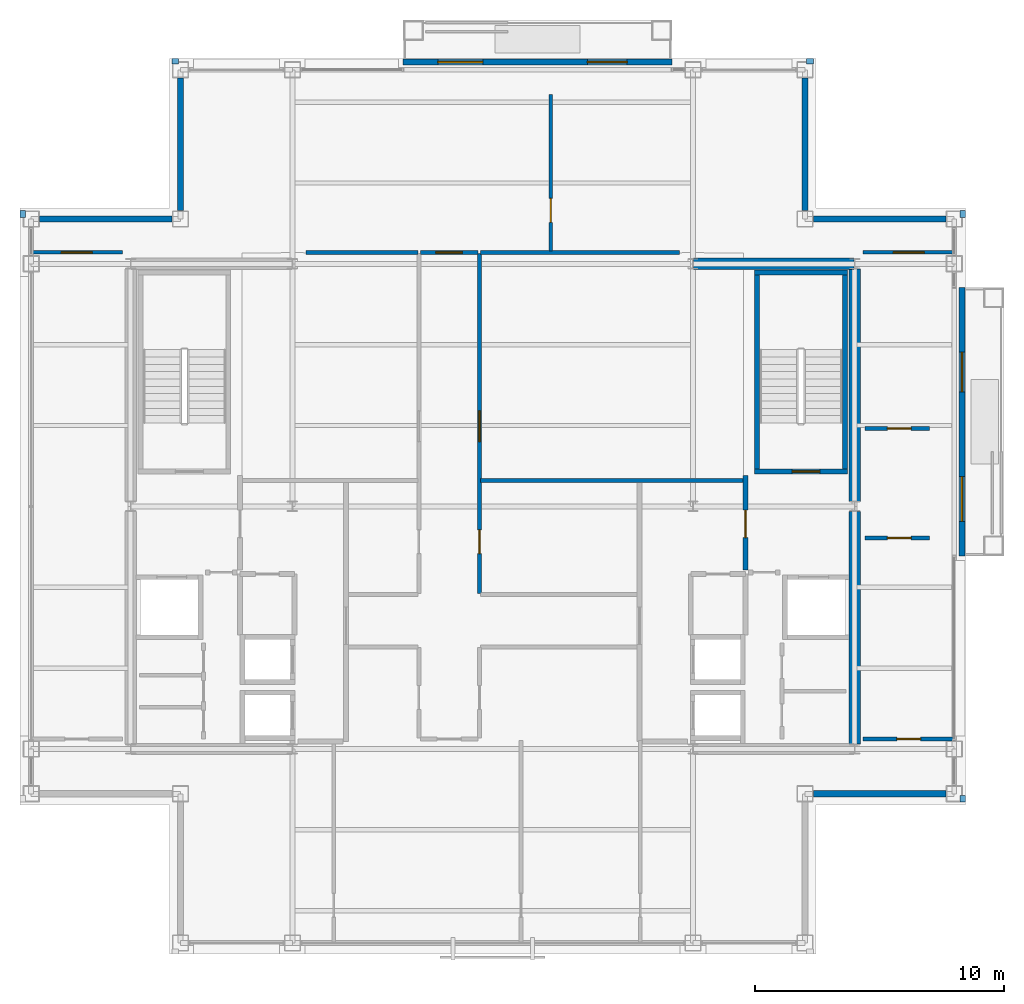
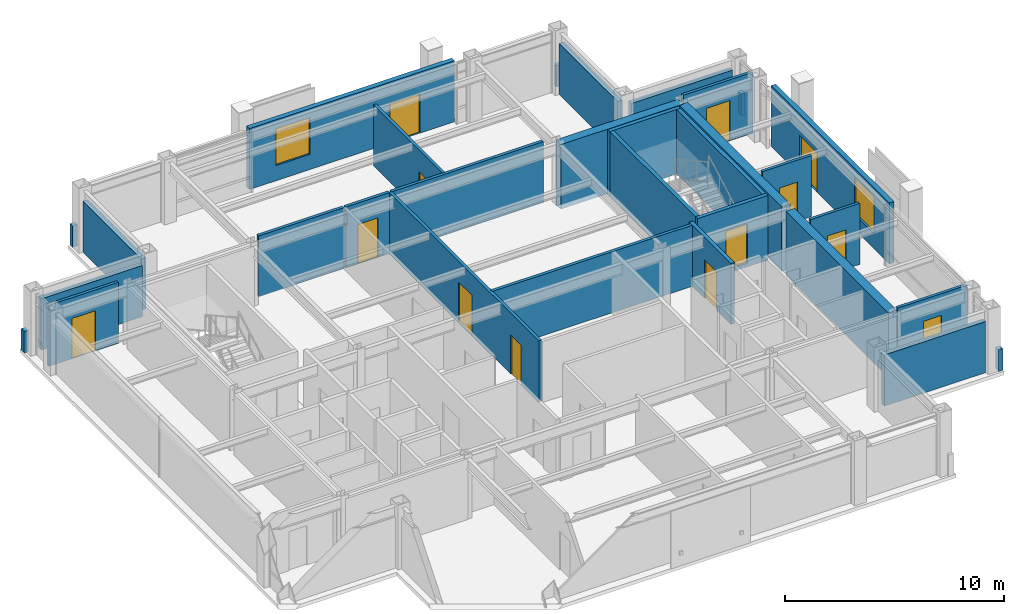
# One storey, part 21 of 24: 31 walls, 13 doors, 2 windows, 15 openings.
"""IFC4 building model written with IfcOpenShell, lengths in metres."""

from ifc_helpers import new_model, si_unit, direction, frame, frame_2d, origin, place, context, subcontext, project, spatial, rectangle, extrude, material, layer, layer_set, type_object, element, fill, save


model = new_model("IFC4")

# Units and contexts
model_context = context("Model", 3, precision=1e-05, world=origin(), true_north=direction((0.0, 1.0)))
body_context = subcontext(model_context, "Body", "Model", "MODEL_VIEW")
ifc_project = project(units=[si_unit("LENGTHUNIT", "METRE"), si_unit("AREAUNIT", "SQUARE_METRE"), si_unit("VOLUMEUNIT", "CUBIC_METRE"), si_unit("PLANEANGLEUNIT", "RADIAN"), si_unit("MASSUNIT", "GRAM", prefix="KILO")], contexts=[model_context])

# Site, building, storey
site_placement = place(None, origin())
site = spatial("IfcSite", under=ifc_project, at=site_placement, CompositionType="ELEMENT")
building_placement = place(site_placement, origin())
building = spatial("IfcBuilding", under=site, at=building_placement, Name="Brelmoor Portico Tower", CompositionType="ELEMENT")
storey_placement = place(building_placement, frame((0.0, 0.0, 232.800048828125)))
storey = spatial("IfcBuildingStorey", under=building, at=storey_placement, Name="L61", CompositionType="ELEMENT", Elevation=232.800048828125)

# Walls
ifc_material_1 = material(Name="Concrete C50", Category="concrete")
ifc_layer_1 = layer(ifc_material_1, 0.449951171875)
ifc_layer_set_1 = layer_set([ifc_layer_1], Name="Concrete C50")
wall_type_1 = type_object("IfcWallType", Name="WL-CORE-450", PredefinedType="SHEAR", material=ifc_layer_set_1)
wall_1_placement = place(storey_placement, frame((8.070068359375, 9.75, -0.199951171875), z_axis=(0.0, 0.0, 1.0), x_axis=(1.0, 0.0, 0.0)))
element("IfcWall", 1, at=wall_1_placement, inside=storey, type_object=wall_type_1, Name="L61 EC North Shear Wall", PredefinedType="SHEAR", context=body_context, shape_type="SweptSolid", body=[
    extrude(rectangle(XDim=6.4599609375, YDim=0.449951171875, at=frame_2d((3.22998046875, 0.0))), origin(), (0.0, 0.0, 1.0), 3.599853515625),
])
for number, where, z_axis, x_axis, name in (
    (2, (14.550048828125, -9.550048828125, -0.199951171875), (0.0, 0.0, 1.0), (0.0, 1.0, 0.0), "L61 EC Outer South Shear Wall"),
    (3, (14.550048828125, 0.199951171875, -0.199951171875), (0.0, 0.0, 1.0), (0.0, 1.0, 0.0), "L61 EC Outer North Shear Wall"),
):
    element("IfcWall", number, at=place(storey_placement, frame(where, z_axis=z_axis, x_axis=x_axis)), inside=storey, type_object=wall_type_1, Name=name, PredefinedType="SHEAR", context=body_context, shape_type="SweptSolid", body=[
        extrude(rectangle(XDim=9.35009765625, YDim=0.449951171875, at=frame_2d((4.675048828125, 0.0))), origin(), (0.0, 0.0, 1.0), 3.599853515625),
    ])

# Wall, openings, door, window
ifc_material_2 = material(Name="Precast Concrete C40 Insulated Facade Wall", Category="concrete")
ifc_layer_2 = layer(ifc_material_2, 0.25)
ifc_layer_set_2 = layer_set([ifc_layer_2], Name="Precast Concrete C40 Insulated Facade Wall")
wall_type_2 = type_object("IfcWallType", Name="WL-EXT-250", PredefinedType="STANDARD", material=ifc_layer_set_2)
wall_2_placement = place(storey_placement, frame((-3.60009765625, 17.860107421875, 0.0), z_axis=(0.0, 0.0, 1.0), x_axis=(1.0, 0.0, 0.0)))
wall_2 = element("IfcWall", 4, at=wall_2_placement, inside=storey, type_object=wall_type_2, Name="L61 Loggia Threshold Wall N-1", PredefinedType="STANDARD", context=body_context, shape_type="SweptSolid", body=[
    extrude(rectangle(XDim=10.800048828125, YDim=0.25, at=frame_2d((5.39990234375, 0.0))), origin(), (0.0, 0.0, 1.0), 3.39990234375),
])
opening_1_placement = place(wall_2_placement, frame((7.39990234375, 0.0, 0.0)))
opening_1 = element("IfcOpeningElement", 5, at=opening_1_placement, cuts=wall_2, Name="Opening D-TB1", PredefinedType="OPENING", context=body_context, shape_type="SweptSolid", body=[
    extrude(rectangle(XDim=1.60009765625, YDim=2.199951171875, at=frame_2d((0.800048828125, 1.10009765625))), frame((0.0, 0.135009765625, 0.0), z_axis=(0.0, -1.0, 0.0), x_axis=(1.0, 0.0, 0.0)), (0.0, 0.0, 1.0), 0.27001953125),
])
opening_2_placement = place(wall_2_placement, frame((1.39990234375, 0.0, 0.85009765625)))
opening_2 = element("IfcOpeningElement", 6, at=opening_2_placement, cuts=wall_2, Name="Opening W-03C", PredefinedType="OPENING", context=body_context, shape_type="SweptSolid", body=[
    extrude(rectangle(XDim=1.800048828125, YDim=2.050048828125, at=frame_2d((0.89990234375, 1.02490234375))), frame((0.0, 0.135009765625, 0.0), z_axis=(0.0, -1.0, 0.0), x_axis=(1.0, 0.0, 0.0)), (0.0, 0.0, 1.0), 0.27001953125),
])
ifc_material_3 = material(Name="Double-Leaf Thermally Broken Terrace Door", Category="aluminium")
door_type_1 = type_object("IfcDoorType", Name="DR-BALCONY-1600", OperationType="NOTDEFINED", PredefinedType="DOOR", material=ifc_material_3)
door_1_placement = place(opening_1_placement, origin())
door_1 = element("IfcDoor", 7, at=door_1_placement, inside=storey, type_object=door_type_1, Name="D-2544 L61 Tree Balcony Double Door N", OperationType="DOUBLE_DOOR_SINGLE_SWING", OverallHeight=2.199951171875, OverallWidth=1.60009765625, PredefinedType="DOOR", context=body_context, shape_type="SweptSolid", body=[
    extrude(rectangle(XDim=1.60009765625, YDim=2.199951171875, at=frame_2d((0.800048828125, 1.10009765625))), frame((0.0, 0.02490234375, 0.0), z_axis=(0.0, -1.0, 0.0), x_axis=(1.0, 0.0, 0.0)), (0.0, 0.0, 1.0), 0.050048828125),
])
fill(opening_1, door_1)
ifc_material_4 = material(Name="Thermally Broken Aluminium Low-E Window", Category="aluminium")
window_type = type_object("IfcWindowType", Name="WN-LOGGIA-1800x2050", PartitioningType="SINGLE_PANEL", PredefinedType="WINDOW", material=ifc_material_4)
window_1_placement = place(opening_2_placement, origin())
window_1 = element("IfcWindow", 8, at=window_1_placement, inside=storey, type_object=window_type, Name="L61 Loggia Window N", OverallHeight=2.050048828125, OverallWidth=1.800048828125, PartitioningType="SINGLE_PANEL", PredefinedType="WINDOW", context=body_context, shape_type="SweptSolid", body=[
    extrude(rectangle(XDim=1.800048828125, YDim=2.050048828125, at=frame_2d((0.89990234375, 1.02490234375))), frame((0.0, 0.030029296875, 0.0), z_axis=(0.0, -1.0, 0.0), x_axis=(1.0, 0.0, 0.0)), (0.0, 0.0, 1.0), 0.06005859375),
])
fill(opening_2, window_1)

wall_3_placement = place(storey_placement, frame((18.860107421875, -2.0, 0.0), z_axis=(0.0, 0.0, 1.0), x_axis=(0.0, 1.0, 0.0)))
wall_3 = element("IfcWall", 9, at=wall_3_placement, inside=storey, type_object=wall_type_2, Name="L61 Loggia Threshold Wall E-1", PredefinedType="STANDARD", context=body_context, shape_type="SweptSolid", body=[
    extrude(rectangle(XDim=10.800048828125, YDim=0.25, at=frame_2d((5.39990234375, 0.0))), origin(), (0.0, 0.0, 1.0), 3.39990234375),
])
opening_3_placement = place(wall_3_placement, frame((6.60009765625, 0.0, 0.0)))
opening_3 = element("IfcOpeningElement", 10, at=opening_3_placement, cuts=wall_3, Name="Opening D-TB1", PredefinedType="OPENING", context=body_context, shape_type="SweptSolid", body=[
    extrude(rectangle(XDim=1.60009765625, YDim=2.199951171875, at=frame_2d((0.800048828125, 1.10009765625))), frame((0.0, 0.135009765625, 0.0), z_axis=(0.0, -1.0, 0.0), x_axis=(1.0, 0.0, 0.0)), (0.0, 0.0, 1.0), 0.27001953125),
])
opening_4_placement = place(wall_3_placement, frame((1.39990234375, 0.0, 0.85009765625)))
opening_4 = element("IfcOpeningElement", 11, at=opening_4_placement, cuts=wall_3, Name="Opening W-03C", PredefinedType="OPENING", context=body_context, shape_type="SweptSolid", body=[
    extrude(rectangle(XDim=1.800048828125, YDim=2.050048828125, at=frame_2d((0.89990234375, 1.02490234375))), frame((0.0, 0.135009765625, 0.0), z_axis=(0.0, -1.0, 0.0), x_axis=(1.0, 0.0, 0.0)), (0.0, 0.0, 1.0), 0.27001953125),
])
door_2_placement = place(opening_3_placement, origin())
door_2 = element("IfcDoor", 12, at=door_2_placement, inside=storey, type_object=door_type_1, Name="D-2543 L61 Tree Balcony Double Door E", OperationType="DOUBLE_DOOR_SINGLE_SWING", OverallHeight=2.199951171875, OverallWidth=1.60009765625, PredefinedType="DOOR", context=body_context, shape_type="SweptSolid", body=[
    extrude(rectangle(XDim=1.60009765625, YDim=2.199951171875, at=frame_2d((0.800048828125, 1.10009765625))), frame((0.0, 0.02490234375, 0.0), z_axis=(0.0, -1.0, 0.0), x_axis=(1.0, 0.0, 0.0)), (0.0, 0.0, 1.0), 0.050048828125),
])
fill(opening_3, door_2)
window_2_placement = place(opening_4_placement, origin())
window_2 = element("IfcWindow", 13, at=window_2_placement, inside=storey, type_object=window_type, Name="L61 Loggia Window E", OverallHeight=2.050048828125, OverallWidth=1.800048828125, PartitioningType="SINGLE_PANEL", PredefinedType="WINDOW", context=body_context, shape_type="SweptSolid", body=[
    extrude(rectangle(XDim=1.800048828125, YDim=2.050048828125, at=frame_2d((0.89990234375, 1.02490234375))), frame((0.0, 0.030029296875, 0.0), z_axis=(0.0, -1.0, 0.0), x_axis=(1.0, 0.0, 0.0)), (0.0, 0.0, 1.0), 0.06005859375),
])
fill(opening_4, window_2)

# Walls
for number, where, z_axis, x_axis, name in (
    (14, (12.885009765625, -11.550048828125, 0.0), (0.0, 0.0, 1.0), (1.0, 0.0, 0.0), "L61 Corner Notch Facade Wall NSEH1"),
    (15, (-18.215087890625, 11.550048828125, 0.0), (0.0, 0.0, 1.0), (1.0, 0.0, 0.0), "L61 Corner Notch Facade Wall NNWH1"),
    (16, (-12.550048828125, 11.885009765625, 0.0), (0.0, 0.0, 1.0), (0.0, 1.0, 0.0), "L61 Corner Notch Facade Wall NNWV1"),
    (17, (12.885009765625, 11.550048828125, 0.0), (0.0, 0.0, 1.0), (1.0, 0.0, 0.0), "L61 Corner Notch Facade Wall NNEH1"),
    (18, (12.550048828125, 11.885009765625, 0.0), (0.0, 0.0, 1.0), (0.0, 1.0, 0.0), "L61 Corner Notch Facade Wall NNEV1"),
):
    element("IfcWall", number, at=place(storey_placement, frame(where, z_axis=z_axis, x_axis=x_axis)), inside=storey, type_object=wall_type_2, Name=name, PredefinedType="STANDARD", context=body_context, shape_type="SweptSolid", body=[
        extrude(rectangle(XDim=5.330078125, YDim=0.25, at=frame_2d((2.6650390625, 0.0))), origin(), (0.0, 0.0, 1.0), 2.849853515625),
    ])
ifc_material_5 = material(Name="Concrete C40 Parapet Upstand", Category="concrete")
ifc_layer_3 = layer(ifc_material_5, 0.219970703125)
ifc_layer_set_3 = layer_set([ifc_layer_3], Name="Concrete C40 Parapet Upstand")
wall_type_3 = type_object("IfcWallType", Name="WL-PARAPET-220", PredefinedType="PARAPET", material=ifc_layer_set_3)
for number, where, z_axis, x_axis, name in (
    (19, (18.889892578125, -11.889892578125, 0.0), (0.0, 0.0, 1.0), (0.0, 1.0, 0.0), "L61 Chamfer Vertex Parapet Pier SE2"),
    (20, (-12.889892578125, 17.889892578125, 0.0), (0.0, 0.0, 1.0), (1.0, 0.0, 0.0), "L61 Chamfer Vertex Parapet Pier NW1"),
    (21, (-18.889892578125, 11.6201171875, 0.0), (0.0, 0.0, 1.0), (0.0, 1.0, 0.0), "L61 Chamfer Vertex Parapet Pier NW2"),
    (22, (12.6201171875, 17.889892578125, 0.0), (0.0, 0.0, 1.0), (1.0, 0.0, 0.0), "L61 Chamfer Vertex Parapet Pier NE1"),
    (23, (18.889892578125, 11.6201171875, 0.0), (0.0, 0.0, 1.0), (0.0, 1.0, 0.0), "L61 Chamfer Vertex Parapet Pier NE2"),
):
    element("IfcWall", number, at=place(storey_placement, frame(where, z_axis=z_axis, x_axis=x_axis)), inside=storey, type_object=wall_type_3, Name=name, PredefinedType="PARAPET", context=body_context, shape_type="SweptSolid", body=[
        extrude(rectangle(XDim=0.269775390625, YDim=0.219970703125, at=frame_2d((0.134765625, 0.0))), origin(), (0.0, 0.0, 1.0), 1.199951171875),
    ])

# Wall, opening, door
ifc_material_6 = material(Name="Wet-Area Moisture-Resistant Partition", Category="gypsum")
ifc_layer_4 = layer(ifc_material_6, 0.14990234375)
ifc_layer_set_4 = layer_set([ifc_layer_4], Name="Wet-Area Moisture-Resistant Partition")
wall_type_4 = type_object("IfcWallType", Name="WL-PART-150", PredefinedType="PARTITIONING", material=ifc_layer_set_4)
wall_4_placement = place(storey_placement, frame((2.330078125, 10.27001953125, 0.0), z_axis=(0.0, 0.0, 1.0), x_axis=(0.0, 1.0, 0.0)))
wall_4 = element("IfcWall", 24, at=wall_4_placement, inside=storey, type_object=wall_type_4, Name="L61 North Suite Partition 1", PredefinedType="PARTITIONING", context=body_context, shape_type="SweptSolid", body=[
    extrude(rectangle(XDim=6.280029296875, YDim=0.14990234375, at=frame_2d((3.14013671875, 0.0))), origin(), (0.0, 0.0, 1.0), 3.39990234375),
])
opening_5_placement = place(wall_4_placement, frame((1.14990234375, 0.0, 0.0)))
opening_5 = element("IfcOpeningElement", 25, at=opening_5_placement, cuts=wall_4, Name="Opening D-IN2", PredefinedType="OPENING", context=body_context, shape_type="SweptSolid", body=[
    extrude(rectangle(XDim=0.9599609375, YDim=2.179931640625, at=frame_2d((0.47998046875, 1.08984375))), frame((0.0, 0.0849609375, 0.0), z_axis=(0.0, -1.0, 0.0), x_axis=(1.0, 0.0, 0.0)), (0.0, 0.0, 1.0), 0.169921875),
])
ifc_material_7 = material(Name="Lacquered Timber Suite Door", Category="wood")
door_type_2 = type_object("IfcDoorType", Name="DR-INT-950", OperationType="NOTDEFINED", PredefinedType="DOOR", material=ifc_material_7)
door_3_placement = place(opening_5_placement, origin())
door_3 = element("IfcDoor", 26, at=door_3_placement, inside=storey, type_object=door_type_2, Name="D-2532 L61 North Suite Connecting Door 1", OperationType="SINGLE_SWING_RIGHT", OverallHeight=2.179931640625, OverallWidth=0.9599609375, PredefinedType="DOOR", context=body_context, shape_type="SweptSolid", body=[
    extrude(rectangle(XDim=0.9599609375, YDim=2.179931640625, at=frame_2d((0.47998046875, 1.08984375))), frame((0.0, 0.02490234375, 0.0), z_axis=(0.0, -1.0, 0.0), x_axis=(1.0, 0.0, 0.0)), (0.0, 0.0, 1.0), 0.050048828125),
])
fill(opening_5, door_3)

wall_5_placement = place(storey_placement, frame((-18.56005859375, 10.2099609375, 0.0), z_axis=(0.0, 0.0, 1.0), x_axis=(1.0, 0.0, 0.0)))
wall_5 = element("IfcWall", 27, at=wall_5_placement, inside=storey, type_object=wall_type_4, Name="L61 North Wing Suite Wall WL", PredefinedType="PARTITIONING", context=body_context, shape_type="SweptSolid", body=[
    extrude(rectangle(XDim=3.68017578125, YDim=0.14990234375, at=frame_2d((1.840087890625, 0.0))), origin(), (0.0, 0.0, 1.0), 3.39990234375),
])
opening_6_placement = place(wall_5_placement, frame((1.219970703125, 0.0, 0.0)))
opening_6 = element("IfcOpeningElement", 28, at=opening_6_placement, cuts=wall_5, Name="Opening D-SU1", PredefinedType="OPENING", context=body_context, shape_type="SweptSolid", body=[
    extrude(rectangle(XDim=1.239990234375, YDim=2.239990234375, at=frame_2d((0.6201171875, 1.1201171875))), frame((0.0, 0.0849609375, 0.0), z_axis=(0.0, -1.0, 0.0), x_axis=(1.0, 0.0, 0.0)), (0.0, 0.0, 1.0), 0.169921875),
])
ifc_material_8 = material(Name="Glazed Timber Executive Suite Door", Category="wood")
door_type_3 = type_object("IfcDoorType", Name="DR-SUITE-1200", OperationType="NOTDEFINED", PredefinedType="DOOR", material=ifc_material_8)
door_4_placement = place(opening_6_placement, origin())
door_4 = element("IfcDoor", 29, at=door_4_placement, inside=storey, type_object=door_type_3, Name="D-2534 L61 WL Wing Suite Connecting Door", OperationType="SINGLE_SWING_RIGHT", OverallHeight=2.239990234375, OverallWidth=1.239990234375, PredefinedType="DOOR", context=body_context, shape_type="SweptSolid", body=[
    extrude(rectangle(XDim=1.239990234375, YDim=2.239990234375, at=frame_2d((0.6201171875, 1.1201171875))), frame((0.0, 0.02490234375, 0.0), z_axis=(0.0, -1.0, 0.0), x_axis=(1.0, 0.0, 0.0)), (0.0, 0.0, 1.0), 0.050048828125),
])
fill(opening_6, door_4)

wall_6_placement = place(storey_placement, frame((14.8798828125, 10.2099609375, 0.0), z_axis=(0.0, 0.0, 1.0), x_axis=(1.0, 0.0, 0.0)))
wall_6 = element("IfcWall", 30, at=wall_6_placement, inside=storey, type_object=wall_type_4, Name="L61 North Wing Suite Wall ER", PredefinedType="PARTITIONING", context=body_context, shape_type="SweptSolid", body=[
    extrude(rectangle(XDim=3.68017578125, YDim=0.14990234375, at=frame_2d((1.840087890625, 0.0))), origin(), (0.0, 0.0, 1.0), 3.39990234375),
])
opening_7_placement = place(wall_6_placement, frame((1.219970703125, 0.0, 0.0)))
opening_7 = element("IfcOpeningElement", 31, at=opening_7_placement, cuts=wall_6, Name="Opening D-SU1", PredefinedType="OPENING", context=body_context, shape_type="SweptSolid", body=[
    extrude(rectangle(XDim=1.239990234375, YDim=2.239990234375, at=frame_2d((0.6201171875, 1.1201171875))), frame((0.0, 0.0849609375, 0.0), z_axis=(0.0, -1.0, 0.0), x_axis=(1.0, 0.0, 0.0)), (0.0, 0.0, 1.0), 0.169921875),
])
door_5_placement = place(opening_7_placement, origin())
door_5 = element("IfcDoor", 32, at=door_5_placement, inside=storey, type_object=door_type_3, Name="D-2533 L61 ER Wing Suite Connecting Door", OperationType="SINGLE_SWING_LEFT", OverallHeight=2.239990234375, OverallWidth=1.239990234375, PredefinedType="DOOR", context=body_context, shape_type="SweptSolid", body=[
    extrude(rectangle(XDim=1.239990234375, YDim=2.239990234375, at=frame_2d((0.6201171875, 1.1201171875))), frame((0.0, 0.02490234375, 0.0), z_axis=(0.0, -1.0, 0.0), x_axis=(1.0, 0.0, 0.0)), (0.0, 0.0, 1.0), 0.050048828125),
])
fill(opening_7, door_5)

wall_7_placement = place(storey_placement, frame((14.8798828125, -9.35009765625, 0.0), z_axis=(0.0, 0.0, 1.0), x_axis=(1.0, 0.0, 0.0)))
wall_7 = element("IfcWall", 33, at=wall_7_placement, inside=storey, type_object=wall_type_4, Name="L61 South Wing Closure ER", PredefinedType="PARTITIONING", context=body_context, shape_type="SweptSolid", body=[
    extrude(rectangle(XDim=3.68017578125, YDim=0.14990234375, at=frame_2d((1.840087890625, 0.0))), origin(), (0.0, 0.0, 1.0), 3.39990234375),
])
opening_8_placement = place(wall_7_placement, frame((1.360107421875, 0.0, 0.0)))
opening_8 = element("IfcOpeningElement", 34, at=opening_8_placement, cuts=wall_7, Name="Opening D-IN2", PredefinedType="OPENING", context=body_context, shape_type="SweptSolid", body=[
    extrude(rectangle(XDim=0.9599609375, YDim=2.179931640625, at=frame_2d((0.47998046875, 1.08984375))), frame((0.0, 0.0849609375, 0.0), z_axis=(0.0, -1.0, 0.0), x_axis=(1.0, 0.0, 0.0)), (0.0, 0.0, 1.0), 0.169921875),
])
door_6_placement = place(opening_8_placement, origin())
door_6 = element("IfcDoor", 35, at=door_6_placement, inside=storey, type_object=door_type_2, Name="D-2541 L61 ER Wing South Suite Door", OperationType="SINGLE_SWING_LEFT", OverallHeight=2.179931640625, OverallWidth=0.9599609375, PredefinedType="DOOR", context=body_context, shape_type="SweptSolid", body=[
    extrude(rectangle(XDim=0.9599609375, YDim=2.179931640625, at=frame_2d((0.47998046875, 1.08984375))), frame((0.0, 0.02490234375, 0.0), z_axis=(0.0, -1.0, 0.0), x_axis=(1.0, 0.0, 0.0)), (0.0, 0.0, 1.0), 0.050048828125),
])
fill(opening_8, door_6)

wall_8_placement = place(storey_placement, frame((14.9599609375, -1.27001953125, 0.0), z_axis=(0.0, 0.0, 1.0), x_axis=(1.0, 0.0, 0.0)))
wall_8 = element("IfcWall", 36, at=wall_8_placement, inside=storey, type_object=wall_type_4, Name="L61 E Wing Partition 1", PredefinedType="PARTITIONING", context=body_context, shape_type="SweptSolid", body=[
    extrude(rectangle(XDim=2.590087890625, YDim=0.14990234375, at=frame_2d((1.294921875, 0.0))), origin(), (0.0, 0.0, 1.0), 3.39990234375),
])
opening_9_placement = place(wall_8_placement, frame((0.89990234375, 0.0, 0.0)))
opening_9 = element("IfcOpeningElement", 37, at=opening_9_placement, cuts=wall_8, Name="Opening D-IN2", PredefinedType="OPENING", context=body_context, shape_type="SweptSolid", body=[
    extrude(rectangle(XDim=0.9599609375, YDim=2.179931640625, at=frame_2d((0.47998046875, 1.08984375))), frame((0.0, 0.0849609375, 0.0), z_axis=(0.0, -1.0, 0.0), x_axis=(1.0, 0.0, 0.0)), (0.0, 0.0, 1.0), 0.169921875),
])
door_7_placement = place(opening_9_placement, origin())
door_7 = element("IfcDoor", 38, at=door_7_placement, inside=storey, type_object=door_type_2, Name="D-2545 L61 E Wing Suite Connecting Door 1", OperationType="SINGLE_SWING_RIGHT", OverallHeight=2.179931640625, OverallWidth=0.9599609375, PredefinedType="DOOR", context=body_context, shape_type="SweptSolid", body=[
    extrude(rectangle(XDim=0.9599609375, YDim=2.179931640625, at=frame_2d((0.47998046875, 1.08984375))), frame((0.0, 0.02490234375, 0.0), z_axis=(0.0, -1.0, 0.0), x_axis=(1.0, 0.0, 0.0)), (0.0, 0.0, 1.0), 0.050048828125),
])
fill(opening_9, door_7)

wall_9_placement = place(storey_placement, frame((14.9599609375, 3.1298828125, 0.0), z_axis=(0.0, 0.0, 1.0), x_axis=(1.0, 0.0, 0.0)))
wall_9 = element("IfcWall", 39, at=wall_9_placement, inside=storey, type_object=wall_type_4, Name="L61 E Wing Partition 2", PredefinedType="PARTITIONING", context=body_context, shape_type="SweptSolid", body=[
    extrude(rectangle(XDim=2.590087890625, YDim=0.14990234375, at=frame_2d((1.294921875, 0.0))), origin(), (0.0, 0.0, 1.0), 3.39990234375),
])
opening_10_placement = place(wall_9_placement, frame((0.89990234375, 0.0, 0.0)))
opening_10 = element("IfcOpeningElement", 40, at=opening_10_placement, cuts=wall_9, Name="Opening D-IN2", PredefinedType="OPENING", context=body_context, shape_type="SweptSolid", body=[
    extrude(rectangle(XDim=0.9599609375, YDim=2.179931640625, at=frame_2d((0.47998046875, 1.08984375))), frame((0.0, 0.0849609375, 0.0), z_axis=(0.0, -1.0, 0.0), x_axis=(1.0, 0.0, 0.0)), (0.0, 0.0, 1.0), 0.169921875),
])
door_8_placement = place(opening_10_placement, origin())
door_8 = element("IfcDoor", 41, at=door_8_placement, inside=storey, type_object=door_type_2, Name="D-2546 L61 E Wing Suite Connecting Door 2", OperationType="SINGLE_SWING_LEFT", OverallHeight=2.179931640625, OverallWidth=0.9599609375, PredefinedType="DOOR", context=body_context, shape_type="SweptSolid", body=[
    extrude(rectangle(XDim=0.9599609375, YDim=2.179931640625, at=frame_2d((0.47998046875, 1.08984375))), frame((0.0, 0.02490234375, 0.0), z_axis=(0.0, -1.0, 0.0), x_axis=(1.0, 0.0, 0.0)), (0.0, 0.0, 1.0), 0.050048828125),
])
fill(opening_10, door_8)

# Walls
ifc_material_9 = material(Name="Twin-Frame Acoustic Partition", Category="gypsum")
ifc_layer_5 = layer(ifc_material_9, 0.159912109375)
ifc_layer_set_5 = layer_set([ifc_layer_5], Name="Twin-Frame Acoustic Partition")
wall_type_5 = type_object("IfcWallType", Name="WL-PART-160", PredefinedType="PARTITIONING", material=ifc_layer_set_5)
wall_10_placement = place(storey_placement, frame((-7.5, 10.2099609375, 0.0), z_axis=(0.0, 0.0, 1.0), x_axis=(1.0, 0.0, 0.0)))
element("IfcWall", 42, at=wall_10_placement, inside=storey, type_object=wall_type_5, Name="L61 West Reclaimed Suite North Wall", PredefinedType="PARTITIONING", context=body_context, shape_type="SweptSolid", body=[
    extrude(rectangle(XDim=4.489990234375, YDim=0.159912109375, at=frame_2d((2.2451171875, 0.0))), origin(), (0.0, 0.0, 1.0), 3.39990234375),
])
wall_11_placement = place(storey_placement, frame((-0.489990234375, 1.050048828125, 0.0), z_axis=(0.0, 0.0, 1.0), x_axis=(1.0, 0.0, 0.0)))
element("IfcWall", 43, at=wall_11_placement, inside=storey, type_object=wall_type_5, Name="L61 East Suite South Wall", PredefinedType="PARTITIONING", context=body_context, shape_type="SweptSolid", body=[
    extrude(rectangle(XDim=10.550048828125, YDim=0.159912109375, at=frame_2d((5.27490234375, 0.0))), origin(), (0.0, 0.0, 1.0), 3.39990234375),
])

# Wall, openings, doors
wall_12_placement = place(storey_placement, frame((-0.530029296875, -3.5, 0.0), z_axis=(0.0, 0.0, 1.0), x_axis=(0.0, 1.0, 0.0)))
wall_12 = element("IfcWall", 44, at=wall_12_placement, inside=storey, type_object=wall_type_5, Name="L61 Central Cross East Wall", PredefinedType="PARTITIONING", context=body_context, shape_type="SweptSolid", body=[
    extrude(rectangle(XDim=13.669921875, YDim=0.159912109375, at=frame_2d((6.8349609375, 0.0))), origin(), (0.0, 0.0, 1.0), 3.39990234375),
])
opening_11_placement = place(wall_12_placement, frame((6.10009765625, 0.0, 0.0)))
opening_11 = element("IfcOpeningElement", 45, at=opening_11_placement, cuts=wall_12, Name="Opening D-SU1", PredefinedType="OPENING", context=body_context, shape_type="SweptSolid", body=[
    extrude(rectangle(XDim=1.239990234375, YDim=2.239990234375, at=frame_2d((0.6201171875, 1.1201171875))), frame((0.0, 0.08984375, 0.0), z_axis=(0.0, -1.0, 0.0), x_axis=(1.0, 0.0, 0.0)), (0.0, 0.0, 1.0), 0.179931640625),
])
opening_12_placement = place(wall_12_placement, frame((1.60009765625, 0.0, 0.0)))
opening_12 = element("IfcOpeningElement", 46, at=opening_12_placement, cuts=wall_12, Name="Opening D-IN2", PredefinedType="OPENING", context=body_context, shape_type="SweptSolid", body=[
    extrude(rectangle(XDim=0.9599609375, YDim=2.179931640625, at=frame_2d((0.47998046875, 1.08984375))), frame((0.0, 0.08984375, 0.0), z_axis=(0.0, -1.0, 0.0), x_axis=(1.0, 0.0, 0.0)), (0.0, 0.0, 1.0), 0.179931640625),
])
door_9_placement = place(opening_12_placement, origin())
door_9 = element("IfcDoor", 47, at=door_9_placement, inside=storey, type_object=door_type_2, Name="D-2512 L61 Client Project Office Door", OperationType="SINGLE_SWING_LEFT", OverallHeight=2.179931640625, OverallWidth=0.9599609375, PredefinedType="DOOR", context=body_context, shape_type="SweptSolid", body=[
    extrude(rectangle(XDim=0.9599609375, YDim=2.179931640625, at=frame_2d((0.47998046875, 1.08984375))), frame((0.0, 0.02490234375, 0.0), z_axis=(0.0, -1.0, 0.0), x_axis=(1.0, 0.0, 0.0)), (0.0, 0.0, 1.0), 0.050048828125),
])
fill(opening_12, door_9)
door_10_placement = place(opening_11_placement, origin())
door_10 = element("IfcDoor", 48, at=door_10_placement, inside=storey, type_object=door_type_3, Name="D-2513 L61 East Reclaimed Studio Door", OperationType="SINGLE_SWING_RIGHT", OverallHeight=2.239990234375, OverallWidth=1.239990234375, PredefinedType="DOOR", context=body_context, shape_type="SweptSolid", body=[
    extrude(rectangle(XDim=1.239990234375, YDim=2.239990234375, at=frame_2d((0.6201171875, 1.1201171875))), frame((0.0, 0.02490234375, 0.0), z_axis=(0.0, -1.0, 0.0), x_axis=(1.0, 0.0, 0.0)), (0.0, 0.0, 1.0), 0.050048828125),
])
fill(opening_11, door_10)

# Wall
wall_13_placement = place(storey_placement, frame((-0.489990234375, 10.2099609375, 0.0), z_axis=(0.0, 0.0, 1.0), x_axis=(1.0, 0.0, 0.0)))
element("IfcWall", 49, at=wall_13_placement, inside=storey, type_object=wall_type_5, Name="L61 East Suite North Wall", PredefinedType="PARTITIONING", context=body_context, shape_type="SweptSolid", body=[
    extrude(rectangle(XDim=7.989990234375, YDim=0.159912109375, at=frame_2d((3.9951171875, 0.0))), origin(), (0.0, 0.0, 1.0), 3.39990234375),
])

# Wall, opening, door
wall_14_placement = place(storey_placement, frame((-2.89990234375, 10.2099609375, 0.0), z_axis=(0.0, 0.0, 1.0), x_axis=(1.0, 0.0, 0.0)))
wall_14 = element("IfcWall", 50, at=wall_14_placement, inside=storey, type_object=wall_type_5, Name="L61 North Corridor Partition", PredefinedType="PARTITIONING", context=body_context, shape_type="SweptSolid", body=[
    extrude(rectangle(XDim=2.2998046875, YDim=0.159912109375, at=frame_2d((1.14990234375, 0.0))), origin(), (0.0, 0.0, 1.0), 3.39990234375),
])
opening_13_placement = place(wall_14_placement, frame((0.6201171875, 0.0, 0.0)))
opening_13 = element("IfcOpeningElement", 51, at=opening_13_placement, cuts=wall_14, Name="Opening D-OF2", PredefinedType="OPENING", context=body_context, shape_type="SweptSolid", body=[
    extrude(rectangle(XDim=1.06005859375, YDim=2.199951171875, at=frame_2d((0.530029296875, 1.10009765625))), frame((0.0, 0.08984375, 0.0), z_axis=(0.0, -1.0, 0.0), x_axis=(1.0, 0.0, 0.0)), (0.0, 0.0, 1.0), 0.179931640625),
])
ifc_material_10 = material(Name="Hardwood Acoustic Veneer Door", Category="wood")
door_type_4 = type_object("IfcDoorType", Name="DR-OFFICE-1050", OperationType="NOTDEFINED", PredefinedType="DOOR", material=ifc_material_10)
door_11_placement = place(opening_13_placement, origin())
door_11 = element("IfcDoor", 52, at=door_11_placement, inside=storey, type_object=door_type_4, Name="D-2531 L61 North Project Mail Room 1 Door", OperationType="SINGLE_SWING_LEFT", OverallHeight=2.199951171875, OverallWidth=1.06005859375, PredefinedType="DOOR", context=body_context, shape_type="SweptSolid", body=[
    extrude(rectangle(XDim=1.06005859375, YDim=2.199951171875, at=frame_2d((0.530029296875, 1.10009765625))), frame((0.0, 0.02490234375, 0.0), z_axis=(0.0, -1.0, 0.0), x_axis=(1.0, 0.0, 0.0)), (0.0, 0.0, 1.0), 0.050048828125),
])
fill(opening_13, door_11)

ifc_material_11 = material(Name="Double-Stud Gypsum Fire Partition", Category="gypsum")
ifc_layer_6 = layer(ifc_material_11, 0.199951171875)
ifc_layer_set_6 = layer_set([ifc_layer_6], Name="Double-Stud Gypsum Fire Partition")
wall_type_6 = type_object("IfcWallType", Name="WL-PART-200", PredefinedType="PARTITIONING", material=ifc_layer_set_6)
wall_15_placement = place(storey_placement, frame((10.159912109375, -2.550048828125, 0.0), z_axis=(0.0, 0.0, 1.0), x_axis=(0.0, 1.0, 0.0)))
wall_15 = element("IfcWall", 53, at=wall_15_placement, inside=storey, type_object=wall_type_6, Name="L61 E Firefighting Lobby Wall", PredefinedType="PARTITIONING", context=body_context, shape_type="SweptSolid", body=[
    extrude(rectangle(XDim=3.800048828125, YDim=0.199951171875, at=frame_2d((1.89990234375, 0.0))), origin(), (0.0, 0.0, 1.0), 3.39990234375),
])
opening_14_placement = place(wall_15_placement, frame((1.300048828125, 0.0, 0.0)))
opening_14 = element("IfcOpeningElement", 54, at=opening_14_placement, cuts=wall_15, Name="Opening D-FR1", PredefinedType="OPENING", context=body_context, shape_type="SweptSolid", body=[
    extrude(rectangle(XDim=1.10009765625, YDim=2.14990234375, at=frame_2d((0.550048828125, 1.074951171875))), frame((0.0, 0.10986328125, 0.0), z_axis=(0.0, -1.0, 0.0), x_axis=(1.0, 0.0, 0.0)), (0.0, 0.0, 1.0), 0.219970703125),
])
ifc_material_12 = material(Name="Painted Galvanised Steel Fire Door", Category="steel")
door_type_5 = type_object("IfcDoorType", Name="DR-FIRE-1100", OperationType="NOTDEFINED", PredefinedType="DOOR", material=ifc_material_12)
door_12_placement = place(opening_14_placement, origin())
door_12 = element("IfcDoor", 55, at=door_12_placement, inside=storey, type_object=door_type_5, Name="D-2527 L61 E Firefighting Lobby Door", OperationType="SINGLE_SWING_LEFT", OverallHeight=2.14990234375, OverallWidth=1.10009765625, PredefinedType="DOOR", context=body_context, shape_type="SweptSolid", body=[
    extrude(rectangle(XDim=1.10009765625, YDim=2.14990234375, at=frame_2d((0.550048828125, 1.074951171875))), frame((0.0, 0.02490234375, 0.0), z_axis=(0.0, -1.0, 0.0), x_axis=(1.0, 0.0, 0.0)), (0.0, 0.0, 1.0), 0.050048828125),
])
fill(opening_14, door_12)

# Wall
ifc_material_13 = material(Name="Concrete C40", Category="concrete")
ifc_layer_7 = layer(ifc_material_13, 0.199951171875)
ifc_layer_set_7 = layer_set([ifc_layer_7], Name="Concrete C40")
wall_type_7 = type_object("IfcWallType", Name="WL-SHAFT-RC200", PredefinedType="SOLIDWALL", material=ifc_layer_set_7)
wall_16_placement = place(storey_placement, frame((14.14990234375, 1.5, -0.199951171875), z_axis=(0.0, 0.0, 1.0), x_axis=(0.0, 1.0, 0.0)))
element("IfcWall", 56, at=wall_16_placement, inside=storey, type_object=wall_type_7, Name="L61 ST-E Structural Stair Wall Outer", PredefinedType="SOLIDWALL", context=body_context, shape_type="SweptSolid", body=[
    extrude(rectangle(XDim=7.800048828125, YDim=0.199951171875, at=frame_2d((3.89990234375, 0.0))), origin(), (0.0, 0.0, 1.0), 3.599853515625),
])

# Wall, opening, door
wall_17_placement = place(storey_placement, frame((10.530029296875, 1.39990234375, -0.199951171875), z_axis=(0.0, 0.0, 1.0), x_axis=(1.0, 0.0, 0.0)))
wall_17 = element("IfcWall", 57, at=wall_17_placement, inside=storey, type_object=wall_type_7, Name="L61 ST-E Structural Stair Wall S", PredefinedType="SOLIDWALL", context=body_context, shape_type="SweptSolid", body=[
    extrude(rectangle(XDim=3.719970703125, YDim=0.199951171875, at=frame_2d((1.85986328125, 0.0))), origin(), (0.0, 0.0, 1.0), 3.599853515625),
])
opening_15_placement = place(wall_17_placement, frame((1.5, 0.0, 0.199951171875)))
opening_15 = element("IfcOpeningElement", 58, at=opening_15_placement, cuts=wall_17, Name="Opening D-ST1", PredefinedType="OPENING", context=body_context, shape_type="SweptSolid", body=[
    extrude(rectangle(XDim=1.1201171875, YDim=2.179931640625, at=frame_2d((0.56005859375, 1.08984375))), frame((0.0, 0.10986328125, 0.0), z_axis=(0.0, -1.0, 0.0), x_axis=(1.0, 0.0, 0.0)), (0.0, 0.0, 1.0), 0.219970703125),
])
door_type_6 = type_object("IfcDoorType", Name="DR-STAIR-1100", OperationType="NOTDEFINED", PredefinedType="DOOR", material=ifc_material_12)
door_13_placement = place(opening_15_placement, origin())
door_13 = element("IfcDoor", 59, at=door_13_placement, inside=storey, type_object=door_type_6, Name="D-2539 L61 ST-E Protected Exit Stair Door", OperationType="SINGLE_SWING_RIGHT", OverallHeight=2.179931640625, OverallWidth=1.1201171875, PredefinedType="DOOR", context=body_context, shape_type="SweptSolid", body=[
    extrude(rectangle(XDim=1.1201171875, YDim=2.179931640625, at=frame_2d((0.56005859375, 1.08984375))), frame((0.0, 0.02490234375, 0.0), z_axis=(0.0, -1.0, 0.0), x_axis=(1.0, 0.0, 0.0)), (0.0, 0.0, 1.0), 0.050048828125),
])
fill(opening_15, door_13)

# Walls
wall_18_placement = place(storey_placement, frame((10.530029296875, 9.39990234375, -0.199951171875), z_axis=(0.0, 0.0, 1.0), x_axis=(1.0, 0.0, 0.0)))
element("IfcWall", 60, at=wall_18_placement, inside=storey, type_object=wall_type_7, Name="L61 ST-E Structural Stair Wall N", PredefinedType="SOLIDWALL", context=body_context, shape_type="SweptSolid", body=[
    extrude(rectangle(XDim=3.719970703125, YDim=0.199951171875, at=frame_2d((1.85986328125, 0.0))), origin(), (0.0, 0.0, 1.0), 3.599853515625),
])
wall_19_placement = place(storey_placement, frame((10.6298828125, 1.5, -0.199951171875), z_axis=(0.0, 0.0, 1.0), x_axis=(0.0, 1.0, 0.0)))
element("IfcWall", 61, at=wall_19_placement, inside=storey, type_object=wall_type_7, Name="L61 ST-E Structural Stair Wall Inner", PredefinedType="SOLIDWALL", context=body_context, shape_type="SweptSolid", body=[
    extrude(rectangle(XDim=7.800048828125, YDim=0.199951171875, at=frame_2d((3.89990234375, 0.0))), origin(), (0.0, 0.0, 1.0), 3.599853515625),
])

save(model, "model.ifc")
